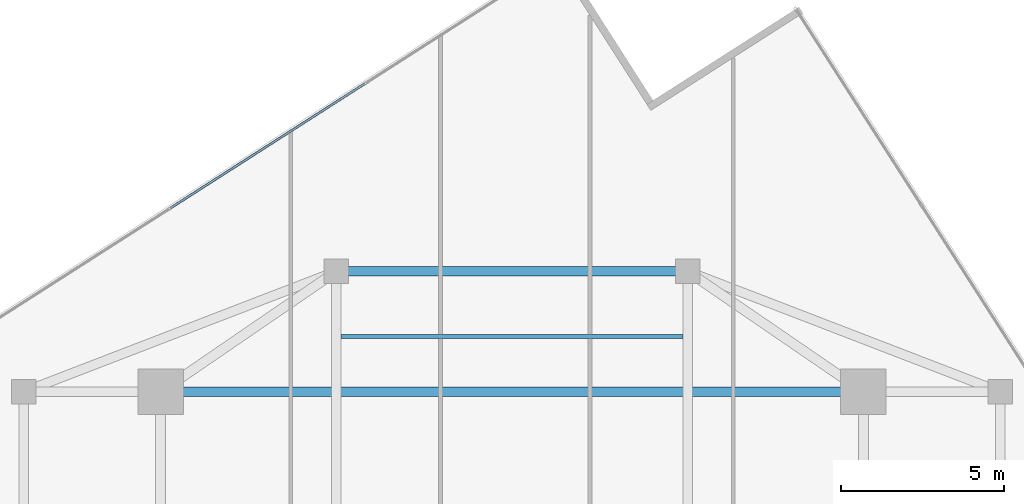
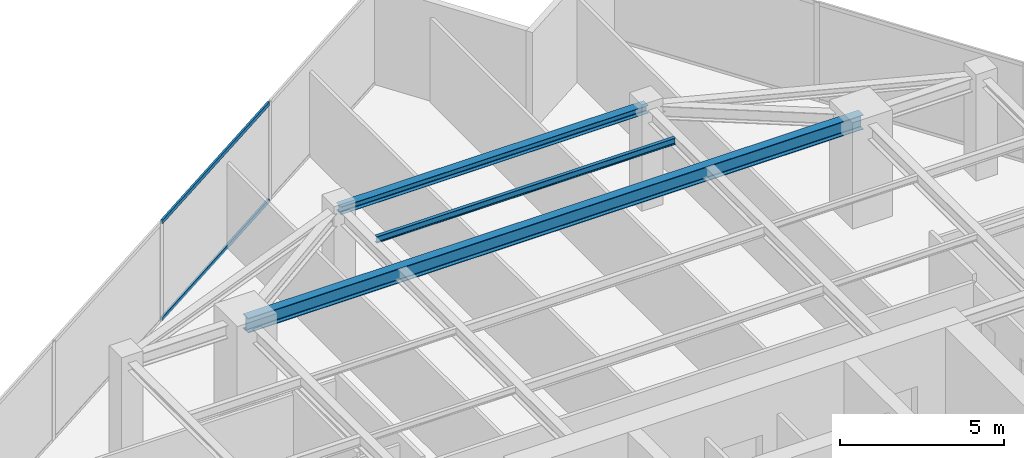
# One storey, part 13 of 20: 3 beams, 2 members, 1 element without a shape of its own.
"""IFC4 building model written with IfcOpenShell, lengths in metres."""

from ifc_helpers import new_model, si_unit, direction, frame, origin, origin_2d, place, context, subcontext, project, spatial, hollow_rectangle, i_section, extrude, source, transform, mapped, material, material_profile, profile_set, type_object, type_shapes, element, aggregate, save


model = new_model("IFC4")

# Units and contexts
model_context = context("Model", 3, precision=1e-05, world=origin(), true_north=direction((0.0, 1.0)))
body_context = subcontext(model_context, "Body", "Model", "MODEL_VIEW")
ifc_project = project(units=[si_unit("LENGTHUNIT", "METRE"), si_unit("AREAUNIT", "SQUARE_METRE"), si_unit("VOLUMEUNIT", "CUBIC_METRE"), si_unit("PLANEANGLEUNIT", "RADIAN"), si_unit("MASSUNIT", "GRAM", prefix="KILO")], contexts=[model_context])

# Site, building, storey
site_placement = place(None, origin())
site = spatial("IfcSite", under=ifc_project, at=site_placement, CompositionType="ELEMENT")
building_placement = place(site_placement, origin())
building = spatial("IfcBuilding", under=site, at=building_placement, Name="Krantzveldt Concourse Tower", CompositionType="ELEMENT")
storey_placement = place(building_placement, frame((0.0, 0.0, 291.10009765625)))
storey = spatial("IfcBuildingStorey", under=building, at=storey_placement, Name="L71", CompositionType="ELEMENT", Elevation=291.10009765625)

# Beams
ifc_material_1 = material(Name="Steel S355JR", Category="steel")
ifc_material_profile_1 = material_profile(ifc_material_1, i_section(OverallWidth=0.300048828125, OverallDepth=0.5400390625, WebThickness=0.012451171875, FlangeThickness=0.02392578125, FilletRadius=0.027099609375, at=origin_2d()), Name="Steel S355JR", Category="steel")
ifc_profile_set_1 = profile_set([ifc_material_profile_1], Name="Steel S355JR - HEA 550")
beam_type_1 = type_object("IfcBeamType", Name="BM-B-HEA550", PredefinedType="BEAM", material=ifc_profile_set_1)
shared_shape_1 = source(origin(), body_context, "Body", "SweptSolid", [
    extrude(i_section(OverallWidth=0.300048828125, OverallDepth=0.5400390625, WebThickness=0.012451171875, FlangeThickness=0.02392578125, FilletRadius=0.027099609375, at=origin_2d()), origin(), (0.0, 0.0, 1.0), 21.60009765625),
])
type_shapes(beam_type_1, [shared_shape_1])
beam_1_placement = place(storey_placement, frame((25.199951171875, 37.5, 3.39990234375), z_axis=(1.0, 0.0, 0.0), x_axis=(0.0, 1.0, 0.0)))
element("IfcBeam", 1, at=beam_1_placement, inside=storey, type_object=beam_type_1, Name="L71 Tower Girder BG-MN", PredefinedType="BEAM", context=body_context, shape_type="MappedRepresentation", body=[
    mapped(shared_shape_1, transform((0.0, 0.0, 0.0), x_axis=(1.0, 0.0, 0.0), y_axis=(0.0, 1.0, 0.0), z_axis=(0.0, 0.0, 1.0), scale=1.0)),
])
ifc_material_profile_2 = material_profile(ifc_material_1, i_section(OverallWidth=0.2900390625, OverallDepth=0.2900390625, WebThickness=0.008544921875, FlangeThickness=0.013916015625, FilletRadius=0.027099609375, at=origin_2d()), Name="Steel S355JR", Category="steel")
ifc_profile_set_2 = profile_set([ifc_material_profile_2], Name="Steel S355JR - HEA 300")
beam_type_2 = type_object("IfcBeamType", Name="BM-SP-HEA300", PredefinedType="SPANDREL", material=ifc_profile_set_2)
shared_shape_2 = source(origin(), body_context, "Body", "SweptSolid", [
    extrude(i_section(OverallWidth=0.2900390625, OverallDepth=0.2900390625, WebThickness=0.008544921875, FlangeThickness=0.013916015625, FilletRadius=0.027099609375, at=origin_2d()), origin(), (0.0, 0.0, 1.0), 10.7998046875),
])
type_shapes(beam_type_2, [shared_shape_2])
beam_2_placement = place(storey_placement, frame((30.60009765625, 41.199951171875, 3.52490234375), z_axis=(1.0, 0.0, 0.0), x_axis=(0.0, 1.0, 0.0)))
element("IfcBeam", 2, at=beam_2_placement, inside=storey, type_object=beam_type_2, Name="L71 Tower Girder SP-R04", PredefinedType="SPANDREL", context=body_context, shape_type="MappedRepresentation", body=[
    mapped(shared_shape_2, transform((0.0, 0.0, 0.0), x_axis=(1.0, 0.0, 0.0), y_axis=(0.0, 1.0, 0.0), z_axis=(0.0, 0.0, 1.0), scale=1.0)),
])
ifc_material_profile_3 = material_profile(ifc_material_1, i_section(OverallWidth=0.1201171875, OverallDepth=0.239990234375, WebThickness=0.006103515625, FlangeThickness=0.009765625, FilletRadius=0.014892578125, at=origin_2d()), Name="Steel S355JR", Category="steel")
ifc_profile_set_3 = profile_set([ifc_material_profile_3], Name="Steel S355JR - IPE 240")
beam_type_3 = type_object("IfcBeamType", Name="BM-LN-IPE240", PredefinedType="LINTEL", material=ifc_profile_set_3)
shared_shape_3 = source(origin(), body_context, "Body", "SweptSolid", [
    extrude(i_section(OverallWidth=0.1201171875, OverallDepth=0.239990234375, WebThickness=0.006103515625, FlangeThickness=0.009765625, FilletRadius=0.014892578125, at=origin_2d()), origin(), (0.0, 0.0, 1.0), 10.5),
])
type_shapes(beam_type_3, [shared_shape_3])
beam_3_placement = place(storey_placement, frame((30.75, 39.199951171875, 3.5498046875), z_axis=(1.0, 0.0, 0.0), x_axis=(0.0, 1.0, 0.0)))
element("IfcBeam", 3, at=beam_3_placement, inside=storey, type_object=beam_type_3, Name="L71 Secondary Floor Joist JN-C3", PredefinedType="LINTEL", context=body_context, shape_type="MappedRepresentation", body=[
    mapped(shared_shape_3, transform((0.0, 0.0, 0.0), x_axis=(1.0, 0.0, 0.0), y_axis=(0.0, 1.0, 0.0), z_axis=(0.0, 0.0, 1.0), scale=1.0)),
])

# Curtain wall, members
ifc_material_2 = material(Name="Anodised aluminium 6063-T6", Category="aluminium")
curtain_wall_type = type_object("IfcCurtainWallType", Name="CW4", PredefinedType="USERDEFINED", material=ifc_material_2)
curtain_wall_placement = place(storey_placement, origin())
curtain_wall = element("IfcCurtainWall", 4, at=curtain_wall_placement, inside=storey, type_object=curtain_wall_type, Name="CW-L71-F01", ObjectType="UNITISED CURTAIN WALL", PredefinedType="USERDEFINED")
ifc_material_profile_4 = material_profile(ifc_material_2, hollow_rectangle(XDim=0.070068359375, YDim=0.139892578125, WallThickness=0.0048828125, at=origin_2d()), Name="Anodised aluminium 6063-T6", Category="aluminium")
ifc_profile_set_4 = profile_set([ifc_material_profile_4], Name="Anodised aluminium 6063-T6 - ALU-TRAN 140x70x5")
member_type = type_object("IfcMemberType", Name="CW-TRN-150", PredefinedType="USERDEFINED", material=ifc_profile_set_4)
shared_shape_4 = source(origin(), body_context, "Body", "SweptSolid", [
    extrude(hollow_rectangle(XDim=0.070068359375, YDim=0.139892578125, WallThickness=0.0048828125, at=origin_2d()), origin(), (0.0, 0.0, 1.0), 7.079833984375),
])
type_shapes(member_type, [shared_shape_4])
member_1_placement = place(storey_placement, frame((31.473876953125, 46.967529296875, 0.034912109375), z_axis=(-0.842230064707, -0.539118278399, 0.0), x_axis=(0.539118278399, -0.842230064707, 0.0)))
member_1 = element("IfcMember", 5, at=member_1_placement, type_object=member_type, Name="CW-Z56 transom 2.1", ObjectType="TRANSOM", PredefinedType="USERDEFINED", context=body_context, shape_type="MappedRepresentation", body=[
    mapped(shared_shape_4, transform((0.0, 0.0, 0.0), x_axis=(1.0, 0.0, 0.0), y_axis=(0.0, 1.0, 0.0), z_axis=(0.0, 0.0, 1.0), scale=1.0)),
])
member_2_placement = place(storey_placement, frame((31.473876953125, 46.967529296875, 3.635009765625), z_axis=(-0.842230064707, -0.539118278399, 0.0), x_axis=(0.539118278399, -0.842230064707, 0.0)))
member_2 = element("IfcMember", 6, at=member_2_placement, type_object=member_type, Name="CW-Z56 transom 2.2", ObjectType="TRANSOM", PredefinedType="USERDEFINED", context=body_context, shape_type="MappedRepresentation", body=[
    mapped(shared_shape_4, transform((0.0, 0.0, 0.0), x_axis=(1.0, 0.0, 0.0), y_axis=(0.0, 1.0, 0.0), z_axis=(0.0, 0.0, 1.0), scale=1.0)),
])
aggregate(curtain_wall, [member_1, member_2])

save(model, "model.ifc")
